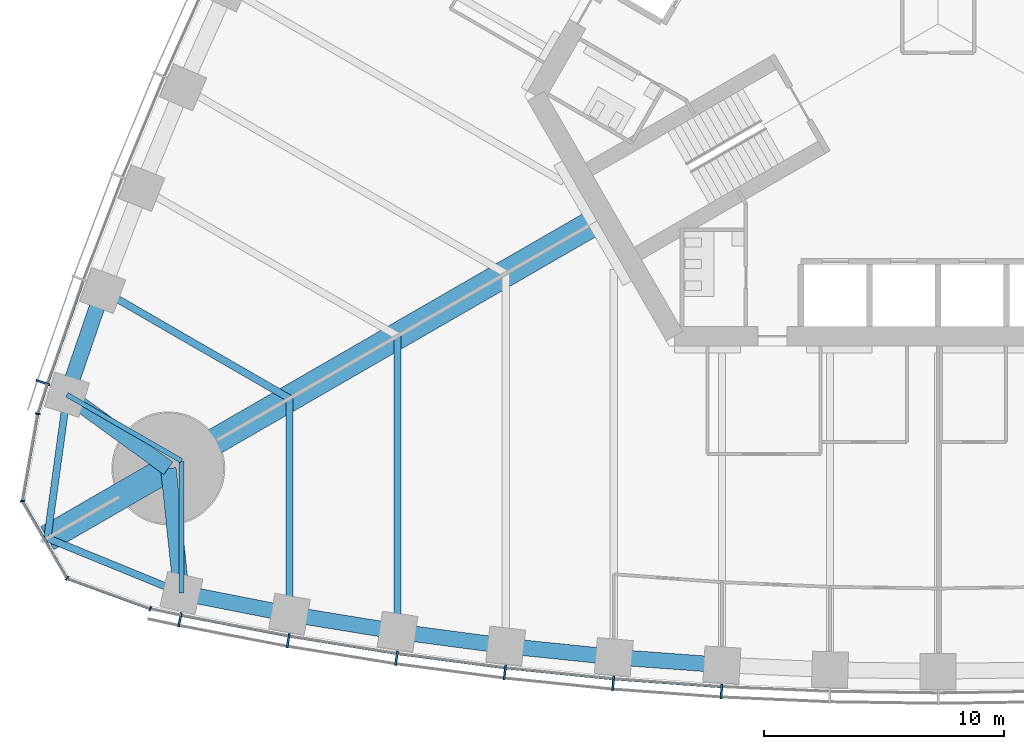
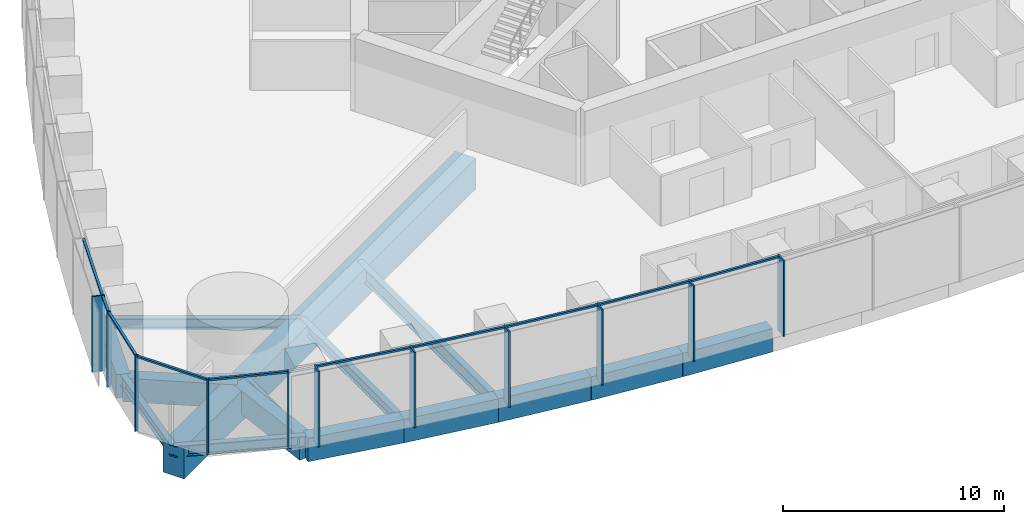
# One storey, part 2 of 18: 21 members, 17 beams, 3 elements without a shape of their own.
"""IFC4 building model written with IfcOpenShell, lengths in metres."""

import ifcopenshell
import ifcopenshell.guid

model = None  # the IFC model being written
_history = None  # IfcOwnerHistory: only IFC2X3 demands one
_inside = {}  # id of a spatial element -> (the spatial element, [elements in it])
_under = {}  # id of a project, library or spatial element -> (it, [spatial elements below it])
_declared = {}  # id of a project -> (the project, [libraries it declares])
_typed = {}  # id of a type object -> (the type object, [elements of that type])
_made_of = {}  # id of a material, layer set ... -> (it, [elements and type objects made of it])


def new_model(schema):
    """Start an empty IFC model of exactly this schema.

    Asked for "IFC4X3", IfcOpenShell would pick the latest addendum, in which some entities
    have other attributes; the version numbers below select the first issue.
    IFC2X3 requires an IfcOwnerHistory on every rooted entity: one is made here for all.
    """
    global model, _history
    if schema == "IFC4X3":
        model = ifcopenshell.file(schema_version=(4, 3, 0, 0))
    else:
        model = ifcopenshell.file(schema=schema)
    _inside.clear()
    _under.clear()
    _declared.clear()
    _typed.clear()
    _made_of.clear()
    _history = None
    if model.schema == "IFC2X3":
        org = make("IfcOrganization", Name="unknown")
        user = make(
            "IfcPersonAndOrganization",
            ThePerson=make("IfcPerson", FamilyName="unknown"),
            TheOrganization=org,
        )
        app = make(
            "IfcApplication",
            ApplicationDeveloper=org,
            Version="unknown",
            ApplicationFullName="unknown",
            ApplicationIdentifier="unknown",
        )
        _history = make(
            "IfcOwnerHistory",
            OwningUser=user,
            OwningApplication=app,
            ChangeAction="ADDED",
            CreationDate=0,
        )
    return model


def make(cls, **values):
    """One entity of the class cls with the attributes given. An attribute that is None is left unset."""
    return model.create_entity(
        cls, **{name: value for name, value in values.items() if value is not None}
    )


def rooted(cls, **values):
    """An entity with a GlobalId (a new one), such as an element, a storey or a relation."""
    return make(cls, GlobalId=ifcopenshell.guid.new(), OwnerHistory=_history, **values)


def si_unit(unit_type, name, prefix=None):
    """IfcSIUnit, for example si_unit("LENGTHUNIT", "METRE", prefix="MILLI")."""
    return make("IfcSIUnit", UnitType=unit_type, Prefix=prefix, Name=name)


def assignment(units):
    """IfcUnitAssignment: the units of a project."""
    return None if units is None else make("IfcUnitAssignment", Units=units)


def point(xyz):
    """IfcCartesianPoint."""
    return None if xyz is None else make("IfcCartesianPoint", Coordinates=xyz)


def direction(xyz):
    """IfcDirection."""
    return None if xyz is None else make("IfcDirection", DirectionRatios=xyz)


def frame(location, z_axis=None, x_axis=None):
    """IfcAxis2Placement3D, a coordinate frame: its origin and axes. An axis left out is left unset."""
    return make(
        "IfcAxis2Placement3D",
        Location=point(location),
        Axis=direction(z_axis),
        RefDirection=direction(x_axis),
    )


def frame_2d(location, x_axis=None):
    """IfcAxis2Placement2D, a coordinate frame in the plane: its origin and x axis."""
    return make(
        "IfcAxis2Placement2D", Location=point(location), RefDirection=direction(x_axis)
    )


def origin():
    """The frame at (0, 0, 0) with its axes left unset."""
    return frame((0.0, 0.0, 0.0))


def origin_2d():
    """The frame at (0, 0) in the plane with its x axis left unset."""
    return frame_2d((0.0, 0.0))


def place(relative_to, where):
    """IfcLocalPlacement: puts the frame where relative to a parent placement (None: the world)."""
    return make(
        "IfcLocalPlacement", PlacementRelTo=relative_to, RelativePlacement=where
    )


def context(
    kind, dimensions, precision=None, world=None, true_north=None, identifier=None
):
    """IfcGeometricRepresentationContext, for example the 3D "Model" context."""
    return make(
        "IfcGeometricRepresentationContext",
        ContextIdentifier=identifier,
        ContextType=kind,
        CoordinateSpaceDimension=dimensions,
        Precision=precision,
        WorldCoordinateSystem=world,
        TrueNorth=true_north,
    )


def subcontext(parent, identifier, kind, view, scale=None):
    """IfcGeometricRepresentationSubContext, for example "Body" below "Model"."""
    return make(
        "IfcGeometricRepresentationSubContext",
        ContextIdentifier=identifier,
        ContextType=kind,
        ParentContext=parent,
        TargetScale=scale,
        TargetView=view,
    )


def project(units=None, contexts=None):
    """IfcProject with its units and contexts."""
    return rooted(
        "IfcProject",
        Name="project",
        RepresentationContexts=contexts,
        UnitsInContext=assignment(units),
    )


def spatial(cls, under=None, at=None, **own):
    """A site, building, storey or space (cls), placed at a placement, below another one or the project."""
    s = rooted(cls, ObjectPlacement=at, **own)
    if under is not None:
        _under.setdefault(under.id(), (under, []))[1].append(s)
    return s


def profile(cls, at=None, kind="AREA", **sizes):
    """A parametric profile (cls). Its sizes go by their IFC names, for example OverallWidth=200.0."""
    return make(cls, ProfileType=kind, Position=at, **sizes)


def rectangle(**sizes):
    """IfcRectangleProfileDef."""
    return profile("IfcRectangleProfileDef", **sizes)


def i_section(**sizes):
    """IfcIShapeProfileDef."""
    return profile("IfcIShapeProfileDef", **sizes)


def extrude(swept, where, along, depth):
    """IfcExtrudedAreaSolid: the profile swept, set in the frame where, extruded along a direction by depth."""
    return make(
        "IfcExtrudedAreaSolid",
        SweptArea=swept,
        Position=where,
        ExtrudedDirection=direction(along),
        Depth=depth,
    )


def shape(context_of_items, identifier, shape_type, items):
    """IfcShapeRepresentation: the items that make up one representation, for example the "Body"."""
    return make(
        "IfcShapeRepresentation",
        ContextOfItems=context_of_items,
        RepresentationIdentifier=identifier,
        RepresentationType=shape_type,
        Items=items,
    )


def material(Name=None, Category=None):
    """IfcMaterial."""
    return make("IfcMaterial", Name=Name, Category=Category)


def material_profile(
    of_material, cross_section, Name=None, Category=None, Priority=None
):
    """IfcMaterialProfile: a cross section and its material."""
    return make(
        "IfcMaterialProfile",
        Name=Name,
        Material=of_material,
        Profile=cross_section,
        Priority=Priority,
        Category=Category,
    )


def profile_set(profiles, Name=None, composite=None):
    """IfcMaterialProfileSet."""
    return make(
        "IfcMaterialProfileSet",
        Name=Name,
        MaterialProfiles=profiles,
        CompositeProfile=composite,
    )


def made_of(thing, what):
    """Note that an element or type object is made of a material, layer set ...; save() writes the relation."""
    if what is not None:
        _made_of.setdefault(what.id(), (what, []))[1].append(thing)
    return thing


def type_object(cls, material=None, **own):
    """A type object (cls), such as IfcWallType, which elements share."""
    return made_of(rooted(cls, **own), material)


def element(
    cls,
    number,
    at=None,
    inside=None,
    cuts=None,
    type_object=None,
    material=None,
    context=None,
    identifier="Body",
    shape_type=None,
    held_by="IfcProductDefinitionShape",
    body=None,
    shapes=None,
    **own,
):
    """One element of the class cls, such as IfcWall. Its Tag is "e" and its number.

    at: its placement. inside: the storey or other place that contains it. cuts: it is an
    opening in that element (IfcRelVoidsElement). A single representation is given by context,
    identifier, shape_type and body (its items); several are given by shapes. held_by: the class
    of the entity that holds the representations. save() writes the other relations.
    """
    e = rooted(cls, Tag="e%d" % number, ObjectPlacement=at, **own)
    if body is not None:
        shapes = [shape(context, identifier, shape_type, body)]
    if shapes is not None:
        e.Representation = make(held_by, Representations=shapes)
    if inside is not None:
        _inside.setdefault(inside.id(), (inside, []))[1].append(e)
    if cuts is not None:
        rooted(
            "IfcRelVoidsElement", RelatingBuildingElement=cuts, RelatedOpeningElement=e
        )
    if type_object is not None:
        _typed.setdefault(type_object.id(), (type_object, []))[1].append(e)
    return made_of(e, material)


def aggregate(whole, parts):
    """IfcRelAggregates: a whole, such as a stair, and the parts it consists of."""
    return rooted("IfcRelAggregates", RelatingObject=whole, RelatedObjects=parts)


def save(model, path):
    """Write the relations noted so far, then the file.

    IfcRelAggregates (storeys below a building ...), IfcRelContainedInSpatialStructure (elements
    in a storey), IfcRelDefinesByType, IfcRelAssociatesMaterial and IfcRelDeclares: one each for
    every whole, place, type object, material and project.
    """
    for whole, parts in _under.values():
        aggregate(whole, parts)
    for where, things in _inside.values():
        rooted(
            "IfcRelContainedInSpatialStructure",
            RelatedElements=things,
            RelatingStructure=where,
        )
    for kind, things in _typed.values():
        rooted("IfcRelDefinesByType", RelatedObjects=things, RelatingType=kind)
    for what, things in _made_of.values():
        rooted("IfcRelAssociatesMaterial", RelatedObjects=things, RelatingMaterial=what)
    for by, libraries in _declared.values():
        rooted("IfcRelDeclares", RelatingContext=by, RelatedDefinitions=libraries)
    model.write(path)


model = new_model("IFC4")

# Units and contexts
model_context = context("Model", 3, precision=1e-05, world=origin(), true_north=direction((0.0, 1.0)))
body_context = subcontext(model_context, "Body", "Model", "MODEL_VIEW")
ifc_project = project(units=[si_unit("LENGTHUNIT", "METRE"), si_unit("AREAUNIT", "SQUARE_METRE"), si_unit("VOLUMEUNIT", "CUBIC_METRE"), si_unit("PLANEANGLEUNIT", "RADIAN"), si_unit("MASSUNIT", "GRAM", prefix="KILO")], contexts=[model_context])

# Site, building, storey
site_placement = place(None, origin())
site = spatial("IfcSite", under=ifc_project, at=site_placement, CompositionType="ELEMENT")
building_placement = place(site_placement, origin())
building = spatial("IfcBuilding", under=site, at=building_placement, Name="Trefoil Bronze Tower", CompositionType="ELEMENT")
storey_placement = place(building_placement, frame((0.0, 0.0, 29.10009765625)))
storey = spatial("IfcBuildingStorey", under=building, at=storey_placement, Name="L06", CompositionType="ELEMENT", Elevation=29.10009765625)

# Curtain wall, members
ifc_material_1 = material(Name="Tinted solar-control glass", Category="glass")
curtain_wall_type_1 = type_object("IfcCurtainWallType", Name="Bronze office curtain wall", PredefinedType="USERDEFINED", material=ifc_material_1)
curtain_wall_1_placement = place(storey_placement, origin())
curtain_wall_1 = element("IfcCurtainWall", 1, at=curtain_wall_1_placement, inside=storey, type_object=curtain_wall_type_1, Name="CW-A L06 F1", ObjectType="CURTAIN WALL", PredefinedType="USERDEFINED")
ifc_material_2 = material(Name="Bronze-finish aluminium", Category="aluminium")
ifc_material_profile_1 = material_profile(ifc_material_2, rectangle(XDim=0.60009765625, YDim=0.080078125, at=origin_2d()), Name="CW-A mullion")
ifc_profile_set_1 = profile_set([ifc_material_profile_1], Name="Bronze-finish aluminium")
member_type_1 = type_object("IfcMemberType", Name="Bronze office curtain wall mullion", PredefinedType="MULLION", material=ifc_profile_set_1)
member_1_placement = place(storey_placement, frame((-31.559326171875, -24.81005859375, 0.0), z_axis=(0.0, 0.0, 1.0), x_axis=(0.197910006829, 0.98022019424, 0.0)))
member_1 = element("IfcMember", 2, at=member_1_placement, type_object=member_type_1, Name="CW-A L06 F1 mullion 2", PredefinedType="MULLION", context=body_context, shape_type="SweptSolid", body=[
    extrude(rectangle(XDim=0.60009765625, YDim=0.080078125, at=origin_2d()), origin(), (0.0, 0.0, 1.0), 4.179931640625),
])
member_2_placement = place(storey_placement, frame((-27.05224609375, -25.67578125, 0.0), z_axis=(0.0, 0.0, 1.0), x_axis=(0.174131146426, 0.984722470468, 0.0)))
member_2 = element("IfcMember", 3, at=member_2_placement, type_object=member_type_1, Name="CW-A L06 F1 mullion 3", PredefinedType="MULLION", context=body_context, shape_type="SweptSolid", body=[
    extrude(rectangle(XDim=0.60009765625, YDim=0.080078125, at=origin_2d()), origin(), (0.0, 0.0, 1.0), 4.179931640625),
])
member_3_placement = place(storey_placement, frame((-22.54345703125, -26.40478515625, 0.0), z_axis=(0.0, 0.0, 1.0), x_axis=(0.145108990094, 0.989415676546, 0.0)))
member_3 = element("IfcMember", 4, at=member_3_placement, type_object=member_type_1, Name="CW-A L06 F1 mullion 4", PredefinedType="MULLION", context=body_context, shape_type="SweptSolid", body=[
    extrude(rectangle(XDim=0.60009765625, YDim=0.080078125, at=origin_2d()), origin(), (0.0, 0.0, 1.0), 4.179931640625),
])
member_4_placement = place(storey_placement, frame((-18.034912109375, -26.99853515625, 0.0), z_axis=(0.0, 0.0, 1.0), x_axis=(0.116086999973, 0.993239048989, 0.0)))
member_4 = element("IfcMember", 5, at=member_4_placement, type_object=member_type_1, Name="CW-A L06 F1 mullion 5", PredefinedType="MULLION", context=body_context, shape_type="SweptSolid", body=[
    extrude(rectangle(XDim=0.60009765625, YDim=0.080078125, at=origin_2d()), origin(), (0.0, 0.0, 1.0), 4.179931640625),
])
member_5_placement = place(storey_placement, frame((-13.526123046875, -27.458984375, 0.0), z_axis=(0.0, 0.0, 1.0), x_axis=(0.087065139456, 0.996202620701, 0.0)))
member_5 = element("IfcMember", 6, at=member_5_placement, type_object=member_type_1, Name="CW-A L06 F1 mullion 6", PredefinedType="MULLION", context=body_context, shape_type="SweptSolid", body=[
    extrude(rectangle(XDim=0.60009765625, YDim=0.080078125, at=origin_2d()), origin(), (0.0, 0.0, 1.0), 4.179931640625),
])
member_6_placement = place(storey_placement, frame((-9.017333984375, -27.786865234375, 0.0), z_axis=(0.0, 0.0, 1.0), x_axis=(0.058043374207, 0.998314062162, 0.0)))
member_6 = element("IfcMember", 7, at=member_6_placement, type_object=member_type_1, Name="CW-A L06 F1 mullion 7", PredefinedType="MULLION", context=body_context, shape_type="SweptSolid", body=[
    extrude(rectangle(XDim=0.60009765625, YDim=0.080078125, at=origin_2d()), origin(), (0.0, 0.0, 1.0), 4.179931640625),
])

# Curtain wall, member
curtain_wall_2_placement = place(storey_placement, origin())
curtain_wall_2 = element("IfcCurtainWall", 8, at=curtain_wall_2_placement, inside=storey, type_object=curtain_wall_type_1, Name="CW-A L06 F3", ObjectType="CURTAIN WALL", PredefinedType="USERDEFINED")
member_7_placement = place(storey_placement, frame((-37.265869140625, -14.92626953125, 0.0), z_axis=(0.0, 0.0, 1.0), x_axis=(0.947850592929, -0.318715003543, 0.0)))
member_7 = element("IfcMember", 9, at=member_7_placement, type_object=member_type_1, Name="CW-A L06 F3 mullion 16", PredefinedType="MULLION", context=body_context, shape_type="SweptSolid", body=[
    extrude(rectangle(XDim=0.60009765625, YDim=0.080078125, at=origin_2d()), origin(), (0.0, 0.0, 1.0), 4.179931640625),
])

# Member
ifc_material_3 = material(Name="Bronze-finish aluminium", Category="aluminium")
ifc_material_profile_2 = material_profile(ifc_material_3, rectangle(XDim=0.1201171875, YDim=0.10009765625, at=origin_2d()), Name="CW-A transom")
ifc_profile_set_2 = profile_set([ifc_material_profile_2], Name="Bronze-finish aluminium")
member_type_2 = type_object("IfcMemberType", Name="Bronze office curtain wall transom", PredefinedType="USERDEFINED", material=ifc_profile_set_2)
member_8_placement = place(storey_placement, frame((-31.4794921875, -24.621826171875, 4.1298828125), z_axis=(0.982053603997, -0.188602011855, 0.0), x_axis=(0.188602011855, 0.982053603997, 0.0)))
member_8 = element("IfcMember", 10, at=member_8_placement, type_object=member_type_2, Name="CW-A L06 F1 transom 2", ObjectType="TRANSOM", PredefinedType="USERDEFINED", context=body_context, shape_type="SweptSolid", body=[
    extrude(rectangle(XDim=0.1201171875, YDim=0.10009765625, at=origin_2d()), origin(), (0.0, 0.0, 1.0), 4.502197265625),
])

member_9_placement = place(storey_placement, frame((-26.9765625, -25.4853515625, 4.1298828125), z_axis=(0.987179401487, -0.159614627398, 0.0), x_axis=(0.159614627398, 0.987179401487, 0.0)))
member_9 = element("IfcMember", 11, at=member_9_placement, type_object=member_type_2, Name="CW-A L06 F1 transom 3", ObjectType="TRANSOM", PredefinedType="USERDEFINED", context=body_context, shape_type="SweptSolid", body=[
    extrude(rectangle(XDim=0.1201171875, YDim=0.10009765625, at=origin_2d()), origin(), (0.0, 0.0, 1.0), 4.478515625),
])

member_10_placement = place(storey_placement, frame((-22.473388671875, -26.212158203125, 4.1298828125), z_axis=(0.991436581643, -0.13058906761, 0.0), x_axis=(0.13058906761, 0.991436581643, 0.0)))
member_10 = element("IfcMember", 12, at=member_10_placement, type_object=member_type_2, Name="CW-A L06 F1 transom 4", ObjectType="TRANSOM", PredefinedType="USERDEFINED", context=body_context, shape_type="SweptSolid", body=[
    extrude(rectangle(XDim=0.1201171875, YDim=0.10009765625, at=origin_2d()), origin(), (0.0, 0.0, 1.0), 4.458740234375),
])

member_11_placement = place(storey_placement, frame((-17.970458984375, -26.80419921875, 4.1298828125), z_axis=(0.994831650915, -0.101538102888, 0.0), x_axis=(0.101538102888, 0.994831650915, 0.0)))
member_11 = element("IfcMember", 13, at=member_11_placement, type_object=member_type_2, Name="CW-A L06 F1 transom 5", ObjectType="TRANSOM", PredefinedType="USERDEFINED", context=body_context, shape_type="SweptSolid", body=[
    extrude(rectangle(XDim=0.1201171875, YDim=0.10009765625, at=origin_2d()), origin(), (0.0, 0.0, 1.0), 4.443359375),
])

member_12_placement = place(storey_placement, frame((-13.46728515625, -27.2626953125, 4.1298828125), z_axis=(0.997364729945, -0.07255064067, 0.0), x_axis=(0.07255064067, 0.997364729945, 0.0)))
member_12 = element("IfcMember", 14, at=member_12_placement, type_object=member_type_2, Name="CW-A L06 F1 transom 6", ObjectType="TRANSOM", PredefinedType="USERDEFINED", context=body_context, shape_type="SweptSolid", body=[
    extrude(rectangle(XDim=0.1201171875, YDim=0.10009765625, at=origin_2d()), origin(), (0.0, 0.0, 1.0), 4.431884765625),
])

aggregate(curtain_wall_1, [member_1, member_2, member_3, member_4, member_5, member_6, member_8, member_9, member_10, member_11, member_12])

member_13_placement = place(storey_placement, frame((-35.587646484375, -10.697509765625, 4.1298828125), z_axis=(-0.327689728493, -0.944785394595, 0.0), x_axis=(0.944785394595, -0.327689728493, 0.0)))
member_13 = element("IfcMember", 15, at=member_13_placement, type_object=member_type_2, Name="CW-A L06 F3 transom 15", ObjectType="TRANSOM", PredefinedType="USERDEFINED", context=body_context, shape_type="SweptSolid", body=[
    extrude(rectangle(XDim=0.1201171875, YDim=0.10009765625, at=origin_2d()), origin(), (0.0, 0.0, 1.0), 4.502197265625),
])

member_14_placement = place(storey_placement, frame((-37.089111328125, -15.02880859375, 4.1298828125), z_axis=(-0.309624219148, -0.950859002648, 0.0), x_axis=(0.950859002648, -0.309624219148, 0.0)))
member_14 = element("IfcMember", 16, at=member_14_placement, type_object=member_type_2, Name="CW-A L06 F3 transom 16", ObjectType="TRANSOM", PredefinedType="USERDEFINED", context=body_context, shape_type="SweptSolid", body=[
    extrude(rectangle(XDim=0.1201171875, YDim=0.10009765625, at=origin_2d()), origin(), (0.0, 0.0, 1.0), 1.21044921875),
])

aggregate(curtain_wall_2, [member_7, member_13, member_14])

# Curtain wall, members
ifc_material_4 = material(Name="Tinted solar-control glass", Category="glass")
curtain_wall_type_2 = type_object("IfcCurtainWallType", Name="Bronze rounded corner curtain wall", PredefinedType="USERDEFINED", material=ifc_material_4)
curtain_wall_3_placement = place(storey_placement, origin())
curtain_wall_3 = element("IfcCurtainWall", 17, at=curtain_wall_3_placement, inside=storey, type_object=curtain_wall_type_2, Name="CW-B L06 K3", ObjectType="CURTAIN WALL", PredefinedType="USERDEFINED")
ifc_material_5 = material(Name="Bronze-finish aluminium", Category="aluminium")
ifc_material_profile_3 = material_profile(ifc_material_5, rectangle(XDim=0.199951171875, YDim=0.06005859375, at=origin_2d()), Name="CW-B mullion")
ifc_profile_set_3 = profile_set([ifc_material_profile_3], Name="Bronze-finish aluminium")
member_type_3 = type_object("IfcMemberType", Name="Bronze rounded corner curtain wall mullion", PredefinedType="MULLION", material=ifc_profile_set_3)
member_15_placement = place(storey_placement, frame((-37.479736328125, -16.2314453125, 0.0), z_axis=(0.0, 0.0, 1.0), x_axis=(0.984807753012, -0.173648177667, 0.0)))
member_15 = element("IfcMember", 18, at=member_15_placement, type_object=member_type_3, Name="CW-B L06 K3 mullion 1", PredefinedType="MULLION", context=body_context, shape_type="SweptSolid", body=[
    extrude(rectangle(XDim=0.199951171875, YDim=0.06005859375, at=origin_2d()), origin(), (0.0, 0.0, 1.0), 4.179931640625),
])
member_16_placement = place(storey_placement, frame((-38.11328125, -19.85888671875, 0.0), z_axis=(0.0, 0.0, 1.0), x_axis=(0.984807753012, 0.173648177667, 0.0)))
member_16 = element("IfcMember", 19, at=member_16_placement, type_object=member_type_3, Name="CW-B L06 K3 mullion 2", PredefinedType="MULLION", context=body_context, shape_type="SweptSolid", body=[
    extrude(rectangle(XDim=0.199951171875, YDim=0.06005859375, at=origin_2d()), origin(), (0.0, 0.0, 1.0), 4.179931640625),
])
member_17_placement = place(storey_placement, frame((-36.2548828125, -23.07763671875, 0.0), z_axis=(0.0, 0.0, 1.0), x_axis=(0.642787609687, 0.766044443119, 0.0)))
member_17 = element("IfcMember", 20, at=member_17_placement, type_object=member_type_3, Name="CW-B L06 K3 mullion 3", PredefinedType="MULLION", context=body_context, shape_type="SweptSolid", body=[
    extrude(rectangle(XDim=0.199951171875, YDim=0.06005859375, at=origin_2d()), origin(), (0.0, 0.0, 1.0), 4.179931640625),
])
member_18_placement = place(storey_placement, frame((-32.796630859375, -24.3427734375, 0.0), z_axis=(0.0, 0.0, 1.0), x_axis=(0.342020143326, 0.939692620786, 0.0)))
member_18 = element("IfcMember", 21, at=member_18_placement, type_object=member_type_3, Name="CW-B L06 K3 mullion 4", PredefinedType="MULLION", context=body_context, shape_type="SweptSolid", body=[
    extrude(rectangle(XDim=0.199951171875, YDim=0.06005859375, at=origin_2d()), origin(), (0.0, 0.0, 1.0), 4.179931640625),
])
ifc_material_6 = material(Name="Bronze-finish aluminium", Category="aluminium")
ifc_material_profile_4 = material_profile(ifc_material_6, rectangle(XDim=0.1201171875, YDim=0.10009765625, at=origin_2d()), Name="CW-B transom")
ifc_profile_set_4 = profile_set([ifc_material_profile_4], Name="Bronze-finish aluminium")
member_type_4 = type_object("IfcMemberType", Name="Bronze rounded corner curtain wall transom", PredefinedType="USERDEFINED", material=ifc_profile_set_4)
member_19_placement = place(storey_placement, frame((-37.48486328125, -16.260986328125, 4.1298828125), z_axis=(-0.17363783606, -0.984809576461, 0.0), x_axis=(0.984809576461, -0.17363783606, 0.0)))
member_19 = element("IfcMember", 22, at=member_19_placement, type_object=member_type_4, Name="CW-B L06 K3 transom 1", ObjectType="TRANSOM", PredefinedType="USERDEFINED", context=body_context, shape_type="SweptSolid", body=[
    extrude(rectangle(XDim=0.1201171875, YDim=0.10009765625, at=origin_2d()), origin(), (0.0, 0.0, 1.0), 3.588134765625),
])
member_20_placement = place(storey_placement, frame((-38.08642578125, -19.91748046875, 4.1298828125), z_axis=(0.500024788772, -0.866011091507, 0.0), x_axis=(0.866011091507, 0.500024788772, 0.0)))
member_20 = element("IfcMember", 23, at=member_20_placement, type_object=member_type_4, Name="CW-B L06 K3 transom 2", ObjectType="TRANSOM", PredefinedType="USERDEFINED", context=body_context, shape_type="SweptSolid", body=[
    extrude(rectangle(XDim=0.1201171875, YDim=0.10009765625, at=origin_2d()), origin(), (0.0, 0.0, 1.0), 3.588134765625),
])
member_21_placement = place(storey_placement, frame((-36.196533203125, -23.105224609375, 4.1298828125), z_axis=(0.939688092095, -0.342032585545, 0.0), x_axis=(0.342032585545, 0.939688092095, 0.0)))
member_21 = element("IfcMember", 24, at=member_21_placement, type_object=member_type_4, Name="CW-B L06 K3 transom 3", ObjectType="TRANSOM", PredefinedType="USERDEFINED", context=body_context, shape_type="SweptSolid", body=[
    extrude(rectangle(XDim=0.1201171875, YDim=0.10009765625, at=origin_2d()), origin(), (0.0, 0.0, 1.0), 3.588134765625),
])
aggregate(curtain_wall_3, [member_15, member_16, member_17, member_18, member_19, member_20, member_21])

# Beams
ifc_material_7 = material(Name="Concrete B80", Category="concrete")
ifc_material_profile_5 = material_profile(ifc_material_7, rectangle(XDim=1.10009765625, YDim=1.699951171875, at=origin_2d()), Name="RC 1100x1700")
ifc_profile_set_5 = profile_set([ifc_material_profile_5], Name="Concrete B80")
beam_type_1 = type_object("IfcBeamType", Name="Corner cantilever RC 1100x1700", PredefinedType="BEAM", material=ifc_profile_set_5)
beam_1_placement = place(storey_placement, frame((-32.04296875, -18.5, -1.050048828125), z_axis=(-0.866030348588, -0.499991435252, 0.0), x_axis=(0.499991435252, -0.866030348588, 0.0)))
element("IfcBeam", 25, at=beam_1_placement, inside=storey, type_object=beam_type_1, Name="Corner cantilever K3 L06", PredefinedType="BEAM", context=body_context, shape_type="SweptSolid", body=[
    extrude(rectangle(XDim=1.10009765625, YDim=1.699951171875, at=origin_2d()), origin(), (0.0, 0.0, 1.0), 5.81396484375),
])
ifc_material_8 = material(Name="Steel C355", Category="steel")
ifc_material_profile_6 = material_profile(ifc_material_8, i_section(OverallWidth=0.300048828125, OverallDepth=0.60009765625, WebThickness=0.015380859375, FlangeThickness=0.030029296875, FilletRadius=0.027099609375, at=origin_2d()), Name="HEB 600")
ifc_profile_set_6 = profile_set([ifc_material_profile_6], Name="Steel C355")
beam_type_2 = type_object("IfcBeamType", Name="Corner edge beam HEB 600", PredefinedType="BEAM", material=ifc_profile_set_6)
beam_2_placement = place(storey_placement, frame((-31.5, -23.684814453125, -0.5), z_axis=(-0.925786874353, 0.378045848114, 0.0), x_axis=(-0.378045848114, -0.925786874353, 0.0)))
element("IfcBeam", 26, at=beam_2_placement, inside=storey, type_object=beam_type_2, Name="Corner edge beam F1B L06", PredefinedType="BEAM", context=body_context, shape_type="SweptSolid", body=[
    extrude(i_section(OverallWidth=0.300048828125, OverallDepth=0.60009765625, WebThickness=0.015380859375, FlangeThickness=0.030029296875, FilletRadius=0.027099609375, at=origin_2d()), origin(), (0.0, 0.0, 1.0), 6.025390625),
])
beam_3_placement = place(storey_placement, frame((-36.26171875, -15.4375, -0.5), z_axis=(-0.13550196505, -0.990777077585, 0.0), x_axis=(0.990777077585, -0.13550196505, 0.0)))
element("IfcBeam", 27, at=beam_3_placement, inside=storey, type_object=beam_type_2, Name="Corner edge beam F3A L06", PredefinedType="BEAM", context=body_context, shape_type="SweptSolid", body=[
    extrude(i_section(OverallWidth=0.300048828125, OverallDepth=0.60009765625, WebThickness=0.015380859375, FlangeThickness=0.030029296875, FilletRadius=0.027099609375, at=origin_2d()), origin(), (0.0, 0.0, 1.0), 6.025146484375),
])
ifc_material_9 = material(Name="Concrete B80", Category="concrete")
ifc_material_profile_7 = material_profile(ifc_material_9, rectangle(XDim=1.10009765625, YDim=1.699951171875, at=origin_2d()), Name="RC 1100x1700")
ifc_profile_set_7 = profile_set([ifc_material_profile_7], Name="Concrete B80")
beam_type_3 = type_object("IfcBeamType", Name="Corner girder RC 1100x1700", PredefinedType="BEAM", material=ifc_profile_set_7)
beam_4_placement = place(storey_placement, frame((-14.202880859375, -8.199951171875, -1.050048828125), z_axis=(-0.866023947468, -0.500002522405, 0.0), x_axis=(0.500002522405, -0.866023947468, 0.0)))
element("IfcBeam", 28, at=beam_4_placement, inside=storey, type_object=beam_type_3, Name="Corner girder K3 L06", PredefinedType="BEAM", context=body_context, shape_type="SweptSolid", body=[
    extrude(rectangle(XDim=1.10009765625, YDim=1.699951171875, at=origin_2d()), origin(), (0.0, 0.0, 1.0), 20.60009765625),
])
ifc_material_10 = material(Name="Concrete B80", Category="concrete")
ifc_material_profile_8 = material_profile(ifc_material_10, rectangle(XDim=0.64990234375, YDim=1.300048828125, at=origin_2d()), Name="RC 650x1300")
ifc_profile_set_8 = profile_set([ifc_material_profile_8], Name="Concrete B80")
beam_type_4 = type_object("IfcBeamType", Name="End spandrel beam RC 650x1300", PredefinedType="SPANDREL", material=ifc_profile_set_8)
for number, where, z_axis, x_axis, name in (
    (29, (-32.04296875, -18.5, -0.85009765625), (0.104153327908, -0.994561252154, 0.0), (0.994561252154, 0.104153327908, 0.0), "Spandrel F1.1 L06"),
    (30, (-36.26171875, -15.4375, -0.85009765625), (0.809254211267, -0.587458612624, 0.0), (0.587458612624, 0.809254211267, 0.0), "Spandrel F3.16 L06"),
):
    element("IfcBeam", number, at=place(storey_placement, frame(where, z_axis=z_axis, x_axis=x_axis)), inside=storey, type_object=beam_type_4, Name=name, PredefinedType="SPANDREL", context=body_context, shape_type="SweptSolid", body=[
        extrude(rectangle(XDim=0.64990234375, YDim=1.300048828125, at=origin_2d()), origin(), (0.0, 0.0, 1.0), 5.213134765625),
    ])
ifc_material_11 = material(Name="Steel C355", Category="steel")
ifc_material_profile_9 = material_profile(ifc_material_11, i_section(OverallWidth=0.300048828125, OverallDepth=0.590087890625, WebThickness=0.012939453125, FlangeThickness=0.02490234375, FilletRadius=0.027099609375, at=origin_2d()), Name="HEA 600")
ifc_profile_set_9 = profile_set([ifc_material_profile_9], Name="Steel C355")
beam_type_5 = type_object("IfcBeamType", Name="Floor beam HEA 600", PredefinedType="BEAM", material=ifc_profile_set_9)
for number, where, z_axis, x_axis, name in (
    (31, (-27.0, -24.56787109375, -0.4951171875), (0.0, 1.0, 0.0), (-1.0, 0.0, 0.0), "Floor beam F1/-6 L06"),
    (32, (-34.7763671875, -11.0986328125, -0.4951171875), (0.866022587327, -0.500004878216, 0.0), (0.500004878216, 0.866022587327, 0.0), "Floor beam F3/+6 L06"),
):
    element("IfcBeam", number, at=place(storey_placement, frame(where, z_axis=z_axis, x_axis=x_axis)), inside=storey, type_object=beam_type_5, Name=name, PredefinedType="BEAM", context=body_context, shape_type="SweptSolid", body=[
        extrude(i_section(OverallWidth=0.300048828125, OverallDepth=0.590087890625, WebThickness=0.012939453125, FlangeThickness=0.02490234375, FilletRadius=0.027099609375, at=origin_2d()), origin(), (0.0, 0.0, 1.0), 8.9794921875),
    ])
ifc_material_12 = material(Name="Steel C355", Category="steel")
ifc_material_profile_10 = material_profile(ifc_material_12, i_section(OverallWidth=0.300048828125, OverallDepth=0.800048828125, WebThickness=0.017578125, FlangeThickness=0.032958984375, FilletRadius=0.030029296875, at=origin_2d()), Name="HEB 800")
ifc_profile_set_10 = profile_set([ifc_material_profile_10], Name="Steel C355")
beam_type_6 = type_object("IfcBeamType", Name="Floor beam HEB 800", PredefinedType="BEAM", material=ifc_profile_set_10)
beam_5_placement = place(storey_placement, frame((-22.5, -25.29931640625, -0.60009765625), z_axis=(0.0, 1.0, 0.0), x_axis=(-1.0, 0.0, 0.0)))
element("IfcBeam", 33, at=beam_5_placement, inside=storey, type_object=beam_type_6, Name="Floor beam F1/-5 L06", PredefinedType="BEAM", context=body_context, shape_type="SweptSolid", body=[
    extrude(i_section(OverallWidth=0.300048828125, OverallDepth=0.800048828125, WebThickness=0.017578125, FlangeThickness=0.032958984375, FilletRadius=0.030029296875, at=origin_2d()), origin(), (0.0, 0.0, 1.0), 12.308837890625),
])
ifc_material_13 = material(Name="Steel C355", Category="steel")
ifc_material_profile_11 = material_profile(ifc_material_13, i_section(OverallWidth=0.199951171875, OverallDepth=0.5, WebThickness=0.01025390625, FlangeThickness=0.01611328125, FilletRadius=0.02099609375, at=origin_2d()), Name="IPE 500")
ifc_profile_set_11 = profile_set([ifc_material_profile_11], Name="Steel C355")
beam_type_7 = type_object("IfcBeamType", Name="Floor beam IPE 500", PredefinedType="BEAM", material=ifc_profile_set_11)
for number, where, z_axis, x_axis, name in (
    (34, (-31.5, -23.684814453125, -0.4501953125), (0.0, 1.0, 0.0), (-1.0, 0.0, 0.0), "Floor beam F1/-7 L06"),
    (35, (-36.26171875, -15.4375, -0.4501953125), (0.866037702141, -0.499978698016, 0.0), (0.499978698016, 0.866037702141, 0.0), "Floor beam F3/+7 L06"),
):
    element("IfcBeam", number, at=place(storey_placement, frame(where, z_axis=z_axis, x_axis=x_axis)), inside=storey, type_object=beam_type_7, Name=name, PredefinedType="BEAM", context=body_context, shape_type="SweptSolid", body=[
        extrude(i_section(OverallWidth=0.199951171875, OverallDepth=0.5, WebThickness=0.01025390625, FlangeThickness=0.01611328125, FilletRadius=0.02099609375, at=origin_2d()), origin(), (0.0, 0.0, 1.0), 5.498291015625),
    ])
ifc_material_14 = material(Name="Concrete B80", Category="concrete")
ifc_material_profile_12 = material_profile(ifc_material_14, rectangle(XDim=0.64990234375, YDim=1.300048828125, at=origin_2d()), Name="RC 650x1300")
ifc_profile_set_12 = profile_set([ifc_material_profile_12], Name="Concrete B80")
beam_type_8 = type_object("IfcBeamType", Name="Spandrel beam RC 650x1300", PredefinedType="SPANDREL", material=ifc_profile_set_12)
beam_6_placement = place(storey_placement, frame((-31.5, -23.684814453125, -0.85009765625), z_axis=(0.981284764092, -0.192562228283, 0.0), x_axis=(0.192562228283, 0.981284764092, 0.0)))
element("IfcBeam", 36, at=beam_6_placement, inside=storey, type_object=beam_type_8, Name="Spandrel F1.2 L06", PredefinedType="SPANDREL", context=body_context, shape_type="SweptSolid", body=[
    extrude(rectangle(XDim=0.64990234375, YDim=1.300048828125, at=origin_2d()), origin(), (0.0, 0.0, 1.0), 4.5859375),
])
beam_7_placement = place(storey_placement, frame((-27.0, -24.56787109375, -0.85009765625), z_axis=(0.987045951254, -0.160437807615, 0.0), x_axis=(0.160437807615, 0.987045951254, 0.0)))
element("IfcBeam", 37, at=beam_7_placement, inside=storey, type_object=beam_type_8, Name="Spandrel F1.3 L06", PredefinedType="SPANDREL", context=body_context, shape_type="SweptSolid", body=[
    extrude(rectangle(XDim=0.64990234375, YDim=1.300048828125, at=origin_2d()), origin(), (0.0, 0.0, 1.0), 4.55908203125),
])
beam_8_placement = place(storey_placement, frame((-22.5, -25.29931640625, -0.85009765625), z_axis=(0.991344474846, -0.131286450906, 0.0), x_axis=(0.131286450906, 0.991344474846, 0.0)))
element("IfcBeam", 38, at=beam_8_placement, inside=storey, type_object=beam_type_8, Name="Spandrel F1.4 L06", PredefinedType="SPANDREL", context=body_context, shape_type="SweptSolid", body=[
    extrude(rectangle(XDim=0.64990234375, YDim=1.300048828125, at=origin_2d()), origin(), (0.0, 0.0, 1.0), 4.539306640625),
])
beam_9_placement = place(storey_placement, frame((-18.0, -25.895263671875, -0.85009765625), z_axis=(0.994778488621, -0.102057623805, 0.0), x_axis=(0.102057623805, 0.994778488621, 0.0)))
element("IfcBeam", 39, at=beam_9_placement, inside=storey, type_object=beam_type_8, Name="Spandrel F1.5 L06", PredefinedType="SPANDREL", context=body_context, shape_type="SweptSolid", body=[
    extrude(rectangle(XDim=0.64990234375, YDim=1.300048828125, at=origin_2d()), origin(), (0.0, 0.0, 1.0), 4.523681640625),
])
beam_10_placement = place(storey_placement, frame((-13.5, -26.35693359375, -0.85009765625), z_axis=(0.997336412354, -0.072938882588, 0.0), x_axis=(0.072938882588, 0.997336412354, 0.0)))
element("IfcBeam", 40, at=beam_10_placement, inside=storey, type_object=beam_type_8, Name="Spandrel F1.6 L06", PredefinedType="SPANDREL", context=body_context, shape_type="SweptSolid", body=[
    extrude(rectangle(XDim=0.64990234375, YDim=1.300048828125, at=origin_2d()), origin(), (0.0, 0.0, 1.0), 4.511962890625),
])
beam_11_placement = place(storey_placement, frame((-34.7763671875, -11.0986328125, -0.85009765625), z_axis=(-0.323883319148, -0.946097032855, 0.0), x_axis=(0.946097032855, -0.323883319148, 0.0)))
element("IfcBeam", 41, at=beam_11_placement, inside=storey, type_object=beam_type_8, Name="Spandrel F3.15 L06", PredefinedType="SPANDREL", context=body_context, shape_type="SweptSolid", body=[
    extrude(rectangle(XDim=0.64990234375, YDim=1.300048828125, at=origin_2d()), origin(), (0.0, 0.0, 1.0), 4.586181640625),
])

save(model, "model.ifc")
